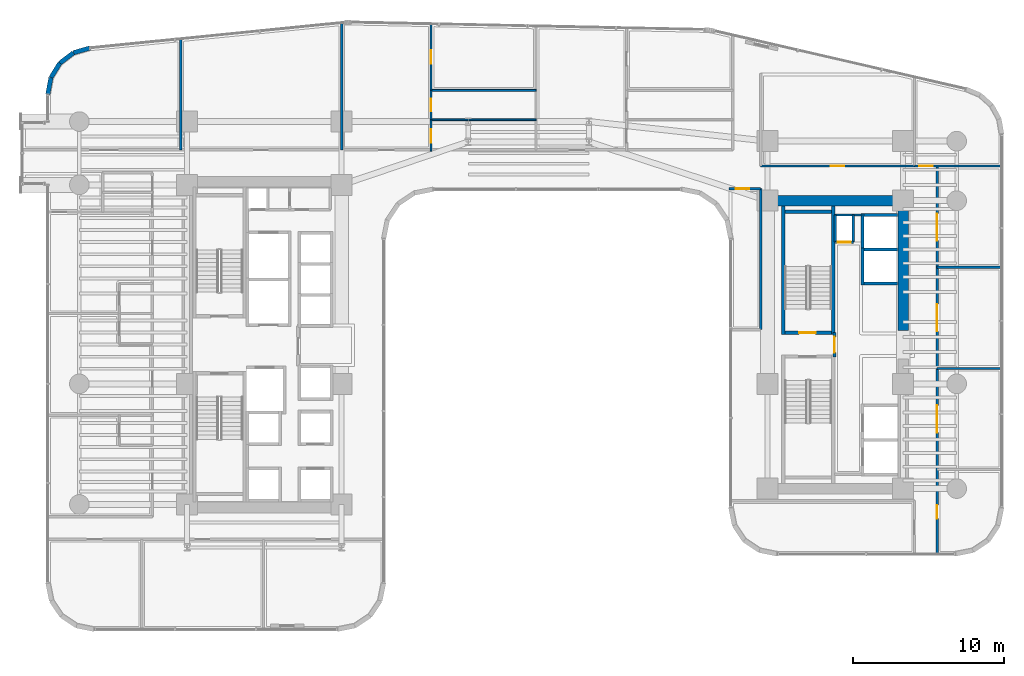
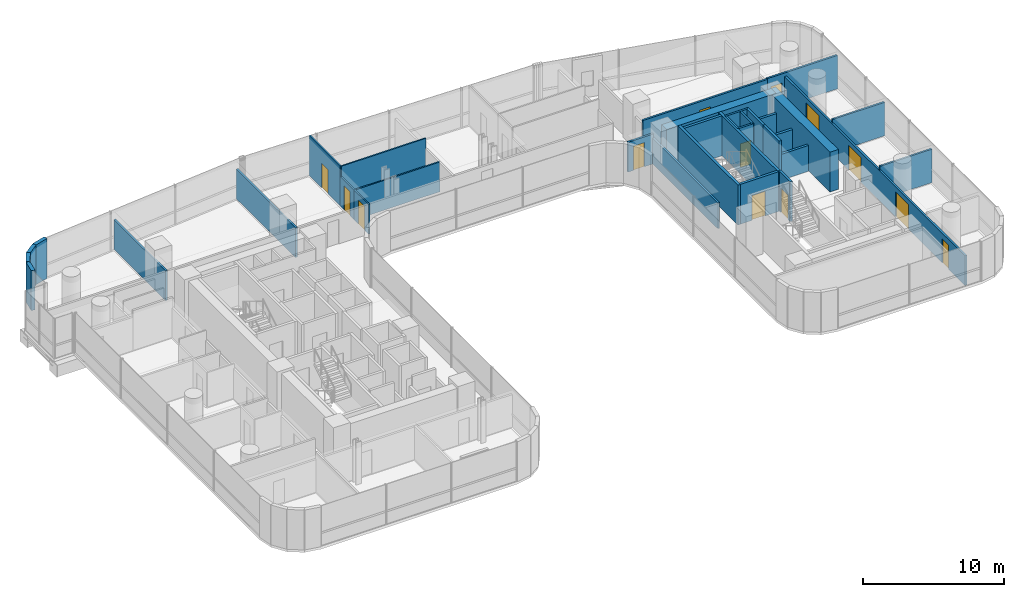
# One storey, part 34 of 41: 34 walls, 13 doors, 13 openings.
"""IFC4 building model written with IfcOpenShell, lengths in metres."""

from ifc_helpers import new_model, si_unit, direction, frame, frame_2d, origin, place, context, subcontext, project, spatial, rectangle, extrude, material, layer, layer_set, type_object, element, fill, save


model = new_model("IFC4")

# Units and contexts
model_context = context("Model", 3, precision=1e-05, world=origin(), true_north=direction((0.0, 1.0)))
body_context = subcontext(model_context, "Body", "Model", "MODEL_VIEW")
ifc_project = project(units=[si_unit("LENGTHUNIT", "METRE"), si_unit("AREAUNIT", "SQUARE_METRE"), si_unit("VOLUMEUNIT", "CUBIC_METRE"), si_unit("PLANEANGLEUNIT", "RADIAN"), si_unit("MASSUNIT", "GRAM", prefix="KILO")], contexts=[model_context])

# Site, building, storey
site_placement = place(None, origin())
site = spatial("IfcSite", under=ifc_project, at=site_placement, CompositionType="ELEMENT")
building_placement = place(site_placement, origin())
building = spatial("IfcBuilding", under=site, at=building_placement, Name="Valdorenza Pilgrim Sanctuary Tower", CompositionType="ELEMENT")
storey_placement = place(building_placement, frame((0.0, 0.0, 88.89990234375)))
storey = spatial("IfcBuildingStorey", under=building, at=storey_placement, Name="L22", CompositionType="ELEMENT", Elevation=88.89990234375)

# Wall, opening, door
ifc_material_1 = material(Name="Acoustic twin-stud gypsum partition", Category="gypsum")
ifc_layer_1 = layer(ifc_material_1, 0.159912109375, Name="Acoustic twin-stud gypsum partition")
ifc_layer_set_1 = layer_set([ifc_layer_1], Name="Acoustic twin-stud gypsum partition")
wall_type_1 = type_object("IfcWallType", Name="WAL-COR-160", PredefinedType="PARTITIONING", material=ifc_layer_set_1)
wall_1_placement = place(storey_placement, frame((20.35009765625, 6.800048828125, 0.0), z_axis=(0.0, 0.0, 1.0), x_axis=(1.0, 0.0, 0.0)))
wall_1 = element("IfcWall", 1, at=wall_1_placement, inside=storey, type_object=wall_type_1, Name="L22 Core B Riser South Wall", PredefinedType="PARTITIONING", context=body_context, shape_type="SweptSolid", body=[
    extrude(rectangle(XDim=1.199951171875, YDim=0.159912109375, at=frame_2d((0.60009765625, 0.0))), origin(), (0.0, 0.0, 1.0), 3.460205078125),
])
opening_1_placement = place(wall_1_placement, frame((0.175048828125, 0.0, 0.0)))
opening_1 = element("IfcOpeningElement", 2, at=opening_1_placement, cuts=wall_1, Name="Opening DR-RS1", PredefinedType="OPENING", context=body_context, shape_type="SweptSolid", body=[
    extrude(rectangle(XDim=0.85009765625, YDim=2.050048828125, at=frame_2d((0.425048828125, 1.02490234375))), frame((0.0, 0.0947265625, 0.0), z_axis=(0.0, -1.0, 0.0), x_axis=(1.0, 0.0, 0.0)), (0.0, 0.0, 1.0), 0.189697265625),
])
ifc_material_2 = material(Name="Painted galvanized steel", Category="steel")
door_type_1 = type_object("IfcDoorType", Name="DR-RSR-850", OperationType="NOTDEFINED", PredefinedType="DOOR", material=ifc_material_2)
door_1_placement = place(opening_1_placement, origin())
door_1 = element("IfcDoor", 3, at=door_1_placement, inside=storey, type_object=door_type_1, Name="L22 Core B Electrical Riser Door", OperationType="SINGLE_SWING_LEFT", OverallHeight=2.050048828125, OverallWidth=0.85009765625, PredefinedType="DOOR", context=body_context, shape_type="SweptSolid", body=[
    extrude(rectangle(XDim=0.85009765625, YDim=2.050048828125, at=frame_2d((0.425048828125, 1.02490234375))), frame((0.0, 0.02490234375, 0.0), z_axis=(0.0, -1.0, 0.0), x_axis=(1.0, 0.0, 0.0)), (0.0, 0.0, 1.0), 0.050048828125),
])
fill(opening_1, door_1)

# Walls
for number, where, z_axis, x_axis, name in (
    (4, (21.550048828125, 6.800048828125, 0.0), (0.0, 0.0, 1.0), (0.0, 1.0, 0.0), "L22 Core B Riser East Wall"),
    (5, (20.35009765625, 6.800048828125, 0.0), (0.0, 0.0, 1.0), (0.0, 1.0, 0.0), "L22 Core B Riser West Wall"),
):
    element("IfcWall", number, at=place(storey_placement, frame(where, z_axis=z_axis, x_axis=x_axis)), inside=storey, type_object=wall_type_1, Name=name, PredefinedType="PARTITIONING", context=body_context, shape_type="SweptSolid", body=[
        extrude(rectangle(XDim=1.800048828125, YDim=0.159912109375, at=frame_2d((0.89990234375, 0.0))), origin(), (0.0, 0.0, 1.0), 3.460205078125),
    ])
wall_2_placement = place(storey_placement, frame((20.300048828125, 8.60009765625, 0.0), z_axis=(0.0, 0.0, 1.0), x_axis=(1.0, 0.0, 0.0)))
element("IfcWall", 6, at=wall_2_placement, inside=storey, type_object=wall_type_1, Name="L22 Core B Lift Hall North End Wall", PredefinedType="PARTITIONING", context=body_context, shape_type="SweptSolid", body=[
    extrude(rectangle(XDim=1.820068359375, YDim=0.159912109375, at=frame_2d((0.91015625, 0.0))), origin(), (0.0, 0.0, 1.0), 3.460205078125),
])

# Wall, opening, door
wall_3_placement = place(storey_placement, frame((15.39990234375, 11.85009765625, 0.0), z_axis=(0.0, 0.0, 1.0), x_axis=(1.0, 0.0, 0.0)))
wall_3 = element("IfcWall", 7, at=wall_3_placement, inside=storey, type_object=wall_type_1, Name="L22 Wing B North Corridor Wall", PredefinedType="PARTITIONING", context=body_context, shape_type="SweptSolid", body=[
    extrude(rectangle(XDim=10.2001953125, YDim=0.159912109375, at=frame_2d((5.10009765625, 0.0))), origin(), (0.0, 0.0, 1.0), 2.833984375),
])
opening_2_placement = place(wall_3_placement, frame((4.64990234375, 0.0, 0.0)))
opening_2 = element("IfcOpeningElement", 8, at=opening_2_placement, cuts=wall_3, Name="Opening DR-RM1", PredefinedType="OPENING", context=body_context, shape_type="SweptSolid", body=[
    extrude(rectangle(XDim=0.89990234375, YDim=2.10009765625, at=frame_2d((0.449951171875, 1.050048828125))), frame((0.0, 0.0947265625, 0.0), z_axis=(0.0, -1.0, 0.0), x_axis=(1.0, 0.0, 0.0)), (0.0, 0.0, 1.0), 0.189697265625),
])
ifc_material_3 = material(Name="Solid-core European oak timber", Category="wood")
door_type_2 = type_object("IfcDoorType", Name="DR-ROOM-900", OperationType="NOTDEFINED", PredefinedType="DOOR", material=ifc_material_3)
door_2_placement = place(opening_2_placement, origin())
door_2 = element("IfcDoor", 9, at=door_2_placement, inside=storey, type_object=door_type_2, Name="L22 Curator Research Office L22-BN1 Door", OperationType="SINGLE_SWING_RIGHT", OverallHeight=2.10009765625, OverallWidth=0.89990234375, PredefinedType="DOOR", context=body_context, shape_type="SweptSolid", body=[
    extrude(rectangle(XDim=0.89990234375, YDim=2.10009765625, at=frame_2d((0.449951171875, 1.050048828125))), frame((0.0, 0.02490234375, 0.0), z_axis=(0.0, -1.0, 0.0), x_axis=(1.0, 0.0, 0.0)), (0.0, 0.0, 1.0), 0.050048828125),
])
fill(opening_2, door_2)

# Wall, openings, doors
wall_4_placement = place(storey_placement, frame((27.10009765625, -13.889892578125, 0.0), z_axis=(0.0, 0.0, 1.0), x_axis=(0.0, 1.0, 0.0)))
wall_4 = element("IfcWall", 10, at=wall_4_placement, inside=storey, type_object=wall_type_1, Name="L22 Wing B East Corridor Wall", PredefinedType="PARTITIONING", context=body_context, shape_type="SweptSolid", body=[
    extrude(rectangle(XDim=25.739990234375, YDim=0.159912109375, at=frame_2d((12.8701171875, 0.0))), origin(), (0.0, 0.0, 1.0), 2.5830078125),
])
opening_3_placement = place(wall_4_placement, frame((2.35107421875, 0.0, 0.0)))
opening_3 = element("IfcOpeningElement", 11, at=opening_3_placement, cuts=wall_4, Name="Opening DR-RM1", PredefinedType="OPENING", context=body_context, shape_type="SweptSolid", body=[
    extrude(rectangle(XDim=0.89990234375, YDim=2.10009765625, at=frame_2d((0.449951171875, 1.050048828125))), frame((0.0, 0.0947265625, 0.0), z_axis=(0.0, -1.0, 0.0), x_axis=(1.0, 0.0, 0.0)), (0.0, 0.0, 1.0), 0.189697265625),
])
opening_4_placement = place(wall_4_placement, frame((8.05908203125, 0.0, 0.0)))
opening_4 = element("IfcOpeningElement", 12, at=opening_4_placement, cuts=wall_4, Name="Opening DR-HL1", PredefinedType="OPENING", context=body_context, shape_type="SweptSolid", body=[
    extrude(rectangle(XDim=1.800048828125, YDim=2.14990234375, at=frame_2d((0.89990234375, 1.074951171875))), frame((0.0, 0.0947265625, 0.0), z_axis=(0.0, -1.0, 0.0), x_axis=(1.0, 0.0, 0.0)), (0.0, 0.0, 1.0), 0.189697265625),
])
opening_5_placement = place(wall_4_placement, frame((14.77099609375, 0.0, 0.0)))
opening_5 = element("IfcOpeningElement", 13, at=opening_5_placement, cuts=wall_4, Name="Opening DR-HL1", PredefinedType="OPENING", context=body_context, shape_type="SweptSolid", body=[
    extrude(rectangle(XDim=1.800048828125, YDim=2.14990234375, at=frame_2d((0.89990234375, 1.074951171875))), frame((0.0, 0.0947265625, 0.0), z_axis=(0.0, -1.0, 0.0), x_axis=(1.0, 0.0, 0.0)), (0.0, 0.0, 1.0), 0.189697265625),
])
opening_6_placement = place(wall_4_placement, frame((20.78759765625, 0.0, 0.0)))
opening_6 = element("IfcOpeningElement", 14, at=opening_6_placement, cuts=wall_4, Name="Opening DR-HL1", PredefinedType="OPENING", context=body_context, shape_type="SweptSolid", body=[
    extrude(rectangle(XDim=1.800048828125, YDim=2.14990234375, at=frame_2d((0.89990234375, 1.074951171875))), frame((0.0, 0.0947265625, 0.0), z_axis=(0.0, -1.0, 0.0), x_axis=(1.0, 0.0, 0.0)), (0.0, 0.0, 1.0), 0.189697265625),
])
ifc_material_4 = material(Name="Acoustic oak and vision-glass double door", Category="glass")
door_type_3 = type_object("IfcDoorType", Name="DR-HALL-1800", OperationType="NOTDEFINED", PredefinedType="DOOR", material=ifc_material_4)
door_3_placement = place(opening_4_placement, origin())
door_3 = element("IfcDoor", 15, at=door_3_placement, inside=storey, type_object=door_type_3, Name="L22 East Reading Lounge L22-EB2 Door", OperationType="DOUBLE_DOOR_SINGLE_SWING", OverallHeight=2.14990234375, OverallWidth=1.800048828125, PredefinedType="DOOR", context=body_context, shape_type="SweptSolid", body=[
    extrude(rectangle(XDim=1.800048828125, YDim=2.14990234375, at=frame_2d((0.89990234375, 1.074951171875))), frame((0.0, 0.02490234375, 0.0), z_axis=(0.0, -1.0, 0.0), x_axis=(1.0, 0.0, 0.0)), (0.0, 0.0, 1.0), 0.050048828125),
])
fill(opening_4, door_3)
door_4_placement = place(opening_5_placement, frame((1.800048828125, 0.0, 0.0), z_axis=(0.0, 0.0, 1.0), x_axis=(-1.0, 0.0, 0.0)))
door_4 = element("IfcDoor", 16, at=door_4_placement, inside=storey, type_object=door_type_3, Name="L22 East Reading Lounge L22-EB3 Door", OperationType="DOUBLE_DOOR_SINGLE_SWING", OverallHeight=2.14990234375, OverallWidth=1.800048828125, PredefinedType="DOOR", context=body_context, shape_type="SweptSolid", body=[
    extrude(rectangle(XDim=1.800048828125, YDim=2.14990234375, at=frame_2d((0.89990234375, 1.074951171875))), frame((0.0, 0.02490234375, 0.0), z_axis=(0.0, -1.0, 0.0), x_axis=(1.0, 0.0, 0.0)), (0.0, 0.0, 1.0), 0.050048828125),
])
fill(opening_5, door_4)
door_5_placement = place(opening_6_placement, origin())
door_5 = element("IfcDoor", 17, at=door_5_placement, inside=storey, type_object=door_type_3, Name="L22 East Reading Lounge L22-EB4 Door", OperationType="DOUBLE_DOOR_SINGLE_SWING", OverallHeight=2.14990234375, OverallWidth=1.800048828125, PredefinedType="DOOR", context=body_context, shape_type="SweptSolid", body=[
    extrude(rectangle(XDim=1.800048828125, YDim=2.14990234375, at=frame_2d((0.89990234375, 1.074951171875))), frame((0.0, 0.02490234375, 0.0), z_axis=(0.0, -1.0, 0.0), x_axis=(1.0, 0.0, 0.0)), (0.0, 0.0, 1.0), 0.050048828125),
])
fill(opening_6, door_5)
door_6_placement = place(opening_3_placement, frame((0.89990234375, 0.0, 0.0), z_axis=(0.0, 0.0, 1.0), x_axis=(-1.0, 0.0, 0.0)))
door_6 = element("IfcDoor", 18, at=door_6_placement, inside=storey, type_object=door_type_2, Name="L22 East Reading Lounge L22-EB1 Door", OperationType="SINGLE_SWING_LEFT", OverallHeight=2.10009765625, OverallWidth=0.89990234375, PredefinedType="DOOR", context=body_context, shape_type="SweptSolid", body=[
    extrude(rectangle(XDim=0.89990234375, YDim=2.10009765625, at=frame_2d((0.449951171875, 1.050048828125))), frame((0.0, 0.02490234375, 0.0), z_axis=(0.0, -1.0, 0.0), x_axis=(1.0, 0.0, 0.0)), (0.0, 0.0, 1.0), 0.050048828125),
])
fill(opening_3, door_6)

# Wall, opening, door
wall_5_placement = place(storey_placement, frame((25.60009765625, 11.85009765625, 0.0), z_axis=(0.0, 0.0, 1.0), x_axis=(1.0, 0.0, 0.0)))
wall_5 = element("IfcWall", 19, at=wall_5_placement, inside=storey, type_object=wall_type_1, Name="L22 East Wing NE Corner South Wall", PredefinedType="PARTITIONING", context=body_context, shape_type="SweptSolid", body=[
    extrude(rectangle(XDim=5.789794921875, YDim=0.159912109375, at=frame_2d((2.89501953125, 0.0))), origin(), (0.0, 0.0, 1.0), 2.89599609375),
])
opening_7_placement = place(wall_5_placement, frame((0.300048828125, 0.0, 0.0)))
opening_7 = element("IfcOpeningElement", 20, at=opening_7_placement, cuts=wall_5, Name="Opening DR-RM1", PredefinedType="OPENING", context=body_context, shape_type="SweptSolid", body=[
    extrude(rectangle(XDim=0.89990234375, YDim=2.10009765625, at=frame_2d((0.449951171875, 1.050048828125))), frame((0.0, 0.0947265625, 0.0), z_axis=(0.0, -1.0, 0.0), x_axis=(1.0, 0.0, 0.0)), (0.0, 0.0, 1.0), 0.189697265625),
])
door_7_placement = place(opening_7_placement, origin())
door_7 = element("IfcDoor", 21, at=door_7_placement, inside=storey, type_object=door_type_2, Name="L22 East North Alcove Office L22 Door", OperationType="SINGLE_SWING_RIGHT", OverallHeight=2.10009765625, OverallWidth=0.89990234375, PredefinedType="DOOR", context=body_context, shape_type="SweptSolid", body=[
    extrude(rectangle(XDim=0.89990234375, YDim=2.10009765625, at=frame_2d((0.449951171875, 1.050048828125))), frame((0.0, 0.02490234375, 0.0), z_axis=(0.0, -1.0, 0.0), x_axis=(1.0, 0.0, 0.0)), (0.0, 0.0, 1.0), 0.050048828125),
])
fill(opening_7, door_7)

wall_6_placement = place(storey_placement, frame((13.300048828125, 10.35009765625, 0.0), z_axis=(0.0, 0.0, 1.0), x_axis=(1.0, 0.0, 0.0)))
wall_6 = element("IfcWall", 22, at=wall_6_placement, inside=storey, type_object=wall_type_1, Name="L22 Courtyard Overlook North Wall", PredefinedType="PARTITIONING", context=body_context, shape_type="SweptSolid", body=[
    extrude(rectangle(XDim=2.099853515625, YDim=0.159912109375, at=frame_2d((1.0498046875, 0.0))), origin(), (0.0, 0.0, 1.0), 2.5830078125),
])
opening_8_placement = place(wall_6_placement, frame((0.449951171875, 0.0, 0.0)))
opening_8 = element("IfcOpeningElement", 23, at=opening_8_placement, cuts=wall_6, Name="Opening DR-RM1", PredefinedType="OPENING", context=body_context, shape_type="SweptSolid", body=[
    extrude(rectangle(XDim=0.89990234375, YDim=2.10009765625, at=frame_2d((0.449951171875, 1.050048828125))), frame((0.0, 0.0947265625, 0.0), z_axis=(0.0, -1.0, 0.0), x_axis=(1.0, 0.0, 0.0)), (0.0, 0.0, 1.0), 0.189697265625),
])
door_8_placement = place(opening_8_placement, origin())
door_8 = element("IfcDoor", 24, at=door_8_placement, inside=storey, type_object=door_type_2, Name="L22 Courtyard Overlook Salon Door", OperationType="SINGLE_SWING_LEFT", OverallHeight=2.10009765625, OverallWidth=0.89990234375, PredefinedType="DOOR", context=body_context, shape_type="SweptSolid", body=[
    extrude(rectangle(XDim=0.89990234375, YDim=2.10009765625, at=frame_2d((0.449951171875, 1.050048828125))), frame((0.0, 0.02490234375, 0.0), z_axis=(0.0, -1.0, 0.0), x_axis=(1.0, 0.0, 0.0)), (0.0, 0.0, 1.0), 0.050048828125),
])
fill(opening_8, door_8)

# Walls
wall_7_placement = place(storey_placement, frame((15.39990234375, 1.0, 0.0), z_axis=(0.0, 0.0, 1.0), x_axis=(0.0, 1.0, 0.0)))
element("IfcWall", 25, at=wall_7_placement, inside=storey, type_object=wall_type_1, Name="L22 Courtyard Overlook East Wall", PredefinedType="PARTITIONING", context=body_context, shape_type="SweptSolid", body=[
    extrude(rectangle(XDim=9.35009765625, YDim=0.159912109375, at=frame_2d((4.675048828125, 0.0))), origin(), (0.0, 0.0, 1.0), 2.2451171875),
])
ifc_material_5 = material(Name="Concrete C60/75", Category="concrete")
ifc_layer_2 = layer(ifc_material_5, 0.699951171875, Name="Concrete C60/75")
ifc_layer_set_2 = layer_set([ifc_layer_2], Name="Concrete C60/75")
wall_type_2 = type_object("IfcWallType", Name="WAL-COR-700", PredefinedType="SHEAR", material=ifc_layer_set_2)
wall_8_placement = place(storey_placement, frame((24.85009765625, 0.949951171875, 0.0), z_axis=(0.0, 0.0, 1.0), x_axis=(0.0, 1.0, 0.0)))
element("IfcWall", 26, at=wall_8_placement, inside=storey, type_object=wall_type_2, Name="L22 Split Core B Shear Wall EN", PredefinedType="SHEAR", context=body_context, shape_type="SweptSolid", body=[
    extrude(rectangle(XDim=8.949951171875, YDim=0.699951171875, at=frame_2d((4.47509765625, 0.0))), origin(), (0.0, 0.0, 1.0), 3.460205078125),
])
wall_9_placement = place(storey_placement, frame((15.85009765625, 9.550048828125, 0.0), z_axis=(0.0, 0.0, 1.0), x_axis=(1.0, 0.0, 0.0)))
element("IfcWall", 27, at=wall_9_placement, inside=storey, type_object=wall_type_2, Name="L22 Split Core B Shear Wall N", PredefinedType="SHEAR", context=body_context, shape_type="SweptSolid", body=[
    extrude(rectangle(XDim=9.0, YDim=0.699951171875, at=frame_2d((4.5, 0.0))), origin(), (0.0, 0.0, 1.0), 3.460205078125),
])
ifc_material_6 = material(Name="Honed travertine limestone", Category="masonry")
ifc_layer_3 = layer(ifc_material_6, 0.300048828125, Name="Honed travertine limestone")
ifc_layer_set_3 = layer_set([ifc_layer_3], Name="Honed travertine limestone")
wall_type_3 = type_object("IfcWallType", Name="WAL-EXT-300", PredefinedType="SOLIDWALL", material=ifc_layer_set_3)
wall_10_placement = place(storey_placement, frame((-31.889892578125, 16.593994140625, 0.0), z_axis=(0.0, 0.0, 1.0), x_axis=(0.182748995683, 0.9831596028, 0.0)))
element("IfcWall", 28, at=wall_10_placement, inside=storey, type_object=wall_type_3, Name="L22 Rounded Wind-Corner Stone Pier 2", PredefinedType="SOLIDWALL", context=body_context, shape_type="SweptSolid", body=[
    extrude(rectangle(XDim=1.1396484375, YDim=0.300048828125, at=frame_2d((0.56982421875, 0.0))), origin(), (0.0, 0.0, 1.0), 3.460205078125),
])
wall_11_placement = place(storey_placement, frame((-31.681640625, 17.71435546875, 0.0), z_axis=(0.0, 0.0, 1.0), x_axis=(0.524157723014, 0.8516212077, 0.0)))
element("IfcWall", 29, at=wall_11_placement, inside=storey, type_object=wall_type_3, Name="L22 Rounded Wind-Corner Stone Pier 3", PredefinedType="SOLIDWALL", context=body_context, shape_type="SweptSolid", body=[
    extrude(rectangle(XDim=1.12939453125, YDim=0.300048828125, at=frame_2d((0.564697265625, 0.0))), origin(), (0.0, 0.0, 1.0), 3.460205078125),
])
wall_12_placement = place(storey_placement, frame((-31.089599609375, 18.67626953125, 0.0), z_axis=(0.0, 0.0, 1.0), x_axis=(0.795253002434, 0.606277710393, 0.0)))
element("IfcWall", 30, at=wall_12_placement, inside=storey, type_object=wall_type_3, Name="L22 Rounded Wind-Corner Stone Pier 4", PredefinedType="SOLIDWALL", context=body_context, shape_type="SweptSolid", body=[
    extrude(rectangle(XDim=1.129150390625, YDim=0.300048828125, at=frame_2d((0.564453125, 0.0))), origin(), (0.0, 0.0, 1.0), 3.460205078125),
])
wall_13_placement = place(storey_placement, frame((-30.191650390625, 19.36083984375, 0.0), z_axis=(0.0, 0.0, 1.0), x_axis=(0.960071941549, 0.279753225271, 0.0)))
element("IfcWall", 31, at=wall_13_placement, inside=storey, type_object=wall_type_3, Name="L22 Rounded Wind-Corner Stone Pier 5", PredefinedType="SOLIDWALL", context=body_context, shape_type="SweptSolid", body=[
    extrude(rectangle(XDim=1.1396484375, YDim=0.300048828125, at=frame_2d((0.56982421875, 0.0))), origin(), (0.0, 0.0, 1.0), 3.460205078125),
])

# Wall, opening, door
ifc_material_7 = material(Name="Gypsum shaftwall partition", Category="gypsum")
ifc_layer_4 = layer(ifc_material_7, 0.199951171875, Name="Gypsum shaftwall partition")
ifc_layer_set_4 = layer_set([ifc_layer_4], Name="Gypsum shaftwall partition")
wall_type_4 = type_object("IfcWallType", Name="WAL-FFL-200", PredefinedType="PARTITIONING", material=ifc_layer_set_4)
wall_14_placement = place(storey_placement, frame((20.300048828125, -0.820068359375, 0.0), z_axis=(0.0, 0.0, 1.0), x_axis=(0.0, 1.0, 0.0)))
wall_14 = element("IfcWall", 32, at=wall_14_placement, inside=storey, type_object=wall_type_4, Name="L22 Core B Firefighting Lobby East Wall", PredefinedType="PARTITIONING", context=body_context, shape_type="SweptSolid", body=[
    extrude(rectangle(XDim=1.64013671875, YDim=0.199951171875, at=frame_2d((0.820068359375, 0.0))), origin(), (0.0, 0.0, 1.0), 3.460205078125),
])
opening_9_placement = place(wall_14_placement, frame((0.294921875, 0.0, 0.0)))
opening_9 = element("IfcOpeningElement", 33, at=opening_9_placement, cuts=wall_14, Name="Opening DR-FL1", PredefinedType="OPENING", context=body_context, shape_type="SweptSolid", body=[
    extrude(rectangle(XDim=1.050048828125, YDim=2.14990234375, at=frame_2d((0.52490234375, 1.074951171875))), frame((0.0, 0.11474609375, 0.0), z_axis=(0.0, -1.0, 0.0), x_axis=(1.0, 0.0, 0.0)), (0.0, 0.0, 1.0), 0.229736328125),
])
door_type_4 = type_object("IfcDoorType", Name="DR-FFL-1050", OperationType="NOTDEFINED", PredefinedType="DOOR", material=ifc_material_2)
door_9_placement = place(opening_9_placement, origin())
door_9 = element("IfcDoor", 34, at=door_9_placement, inside=storey, type_object=door_type_4, Name="L22 Core B Firefighting Lobby Door", OperationType="SINGLE_SWING_RIGHT", OverallHeight=2.14990234375, OverallWidth=1.050048828125, PredefinedType="DOOR", context=body_context, shape_type="SweptSolid", body=[
    extrude(rectangle(XDim=1.050048828125, YDim=2.14990234375, at=frame_2d((0.52490234375, 1.074951171875))), frame((0.0, 0.02490234375, 0.0), z_axis=(0.0, -1.0, 0.0), x_axis=(1.0, 0.0, 0.0)), (0.0, 0.0, 1.0), 0.050048828125),
])
fill(opening_9, door_9)

# Walls
ifc_material_8 = material(Name="Moisture-resistant gypsum partition", Category="gypsum")
ifc_layer_5 = layer(ifc_material_8, 0.1201171875, Name="Moisture-resistant gypsum partition")
ifc_layer_set_5 = layer_set([ifc_layer_5], Name="Moisture-resistant gypsum partition")
wall_type_5 = type_object("IfcWallType", Name="WAL-INT-120", PredefinedType="PARTITIONING", material=ifc_layer_set_5)
wall_15_placement = place(storey_placement, frame((-6.466064453125, 14.919921875, 0.0), z_axis=(0.0, 0.0, 1.0), x_axis=(1.0, 0.0, 0.0)))
element("IfcWall", 35, at=wall_15_placement, inside=storey, type_object=wall_type_5, Name="L22 North Sanctuary Apartment L22-N3 Bath-Kitchen Wall", PredefinedType="PARTITIONING", context=body_context, shape_type="SweptSolid", body=[
    extrude(rectangle(XDim=6.966064453125, YDim=0.1201171875, at=frame_2d((3.48291015625, 0.0))), origin(), (0.0, 0.0, 1.0), 2.5830078125),
])
wall_16_placement = place(storey_placement, frame((-6.466064453125, 16.8701171875, 0.0), z_axis=(0.0, 0.0, 1.0), x_axis=(1.0, 0.0, 0.0)))
element("IfcWall", 36, at=wall_16_placement, inside=storey, type_object=wall_type_5, Name="L22 North Sanctuary Apartment L22-N3 Kitchen-Bedroom Wall", PredefinedType="PARTITIONING", context=body_context, shape_type="SweptSolid", body=[
    extrude(rectangle(XDim=6.966064453125, YDim=0.1201171875, at=frame_2d((3.48291015625, 0.0))), origin(), (0.0, 0.0, 1.0), 3.460205078125),
])

# Wall, opening, door
wall_17_placement = place(storey_placement, frame((-6.466064453125, 14.919921875, 0.0), z_axis=(0.0, 0.0, 1.0), x_axis=(0.0, 1.0, 0.0)))
wall_17 = element("IfcWall", 37, at=wall_17_placement, inside=storey, type_object=wall_type_5, Name="L22 North Sanctuary Apartment L22-N3 Bathroom Door Wall", PredefinedType="PARTITIONING", context=body_context, shape_type="SweptSolid", body=[
    extrude(rectangle(XDim=1.9501953125, YDim=0.1201171875, at=frame_2d((0.97509765625, 0.0))), origin(), (0.0, 0.0, 1.0), 2.5830078125),
])
opening_10_placement = place(wall_17_placement, frame((0.550048828125, 0.0, 0.0)))
opening_10 = element("IfcOpeningElement", 38, at=opening_10_placement, cuts=wall_17, Name="Opening DR-WC1", PredefinedType="OPENING", context=body_context, shape_type="SweptSolid", body=[
    extrude(rectangle(XDim=0.85009765625, YDim=2.10009765625, at=frame_2d((0.425048828125, 1.050048828125))), frame((0.0, 0.074951171875, 0.0), z_axis=(0.0, -1.0, 0.0), x_axis=(1.0, 0.0, 0.0)), (0.0, 0.0, 1.0), 0.14990234375),
])
ifc_material_9 = material(Name="Moisture-resistant lacquered timber", Category="wood")
door_type_5 = type_object("IfcDoorType", Name="DR-BATH-850", OperationType="NOTDEFINED", PredefinedType="DOOR", material=ifc_material_9)
door_10_placement = place(opening_10_placement, origin())
door_10 = element("IfcDoor", 39, at=door_10_placement, inside=storey, type_object=door_type_5, Name="L22 North Sanctuary Apartment L22-N3 Bathroom Door", OperationType="SINGLE_SWING_LEFT", OverallHeight=2.10009765625, OverallWidth=0.85009765625, PredefinedType="DOOR", context=body_context, shape_type="SweptSolid", body=[
    extrude(rectangle(XDim=0.85009765625, YDim=2.10009765625, at=frame_2d((0.425048828125, 1.050048828125))), frame((0.0, 0.02490234375, 0.0), z_axis=(0.0, -1.0, 0.0), x_axis=(1.0, 0.0, 0.0)), (0.0, 0.0, 1.0), 0.050048828125),
])
fill(opening_10, door_10)

wall_18_placement = place(storey_placement, frame((-6.466064453125, 12.840087890625, 0.0), z_axis=(0.0, 0.0, 1.0), x_axis=(0.0, 1.0, 0.0)))
wall_18 = element("IfcWall", 40, at=wall_18_placement, inside=storey, type_object=wall_type_5, Name="L22 North Sanctuary Apartment L22-N3 Kitchen Door Wall", PredefinedType="PARTITIONING", context=body_context, shape_type="SweptSolid", body=[
    extrude(rectangle(XDim=2.079833984375, YDim=0.1201171875, at=frame_2d((1.0400390625, 0.0))), origin(), (0.0, 0.0, 1.0), 2.5830078125),
])
opening_11_placement = place(wall_18_placement, frame((0.550048828125, 0.0, 0.0)))
opening_11 = element("IfcOpeningElement", 41, at=opening_11_placement, cuts=wall_18, Name="Opening DR-RM1", PredefinedType="OPENING", context=body_context, shape_type="SweptSolid", body=[
    extrude(rectangle(XDim=0.89990234375, YDim=2.10009765625, at=frame_2d((0.449951171875, 1.050048828125))), frame((0.0, 0.074951171875, 0.0), z_axis=(0.0, -1.0, 0.0), x_axis=(1.0, 0.0, 0.0)), (0.0, 0.0, 1.0), 0.14990234375),
])
door_11_placement = place(opening_11_placement, origin())
door_11 = element("IfcDoor", 42, at=door_11_placement, inside=storey, type_object=door_type_2, Name="L22 North Sanctuary Apartment L22-N3 Kitchen Door", OperationType="SINGLE_SWING_RIGHT", OverallHeight=2.10009765625, OverallWidth=0.89990234375, PredefinedType="DOOR", context=body_context, shape_type="SweptSolid", body=[
    extrude(rectangle(XDim=0.89990234375, YDim=2.10009765625, at=frame_2d((0.449951171875, 1.050048828125))), frame((0.0, 0.02490234375, 0.0), z_axis=(0.0, -1.0, 0.0), x_axis=(1.0, 0.0, 0.0)), (0.0, 0.0, 1.0), 0.050048828125),
])
fill(opening_11, door_11)

wall_19_placement = place(storey_placement, frame((-6.466064453125, 16.8701171875, 0.0), z_axis=(0.0, 0.0, 1.0), x_axis=(0.0, 1.0, 0.0)))
wall_19 = element("IfcWall", 43, at=wall_19_placement, inside=storey, type_object=wall_type_5, Name="L22 North Sanctuary Apartment L22-N3 Bedroom Door Wall", PredefinedType="PARTITIONING", context=body_context, shape_type="SweptSolid", body=[
    extrude(rectangle(XDim=4.404541015625, YDim=0.1201171875, at=frame_2d((2.2021484375, 0.0))), origin(), (0.0, 0.0, 1.0), 3.460205078125),
])
opening_12_placement = place(wall_19_placement, frame((1.751953125, 0.0, 0.0)))
opening_12 = element("IfcOpeningElement", 44, at=opening_12_placement, cuts=wall_19, Name="Opening DR-RM1", PredefinedType="OPENING", context=body_context, shape_type="SweptSolid", body=[
    extrude(rectangle(XDim=0.89990234375, YDim=2.10009765625, at=frame_2d((0.449951171875, 1.050048828125))), frame((0.0, 0.074951171875, 0.0), z_axis=(0.0, -1.0, 0.0), x_axis=(1.0, 0.0, 0.0)), (0.0, 0.0, 1.0), 0.14990234375),
])
door_12_placement = place(opening_12_placement, frame((0.89990234375, 0.0, 0.0), z_axis=(0.0, 0.0, 1.0), x_axis=(-1.0, 0.0, 0.0)))
door_12 = element("IfcDoor", 45, at=door_12_placement, inside=storey, type_object=door_type_2, Name="L22 North Sanctuary Apartment L22-N3 Bedroom Door", OperationType="SINGLE_SWING_LEFT", OverallHeight=2.10009765625, OverallWidth=0.89990234375, PredefinedType="DOOR", context=body_context, shape_type="SweptSolid", body=[
    extrude(rectangle(XDim=0.89990234375, YDim=2.10009765625, at=frame_2d((0.449951171875, 1.050048828125))), frame((0.0, 0.02490234375, 0.0), z_axis=(0.0, -1.0, 0.0), x_axis=(1.0, 0.0, 0.0)), (0.0, 0.0, 1.0), 0.050048828125),
])
fill(opening_12, door_12)

# Walls
ifc_material_10 = material(Name="Autoclaved aerated concrete blockwork", Category="masonry")
ifc_layer_6 = layer(ifc_material_10, 0.199951171875, Name="Autoclaved aerated concrete blockwork")
ifc_layer_set_6 = layer_set([ifc_layer_6], Name="Autoclaved aerated concrete blockwork")
wall_type_6 = type_object("IfcWallType", Name="WAL-SHF-200", PredefinedType="MOVABLE", material=ifc_layer_set_6)
wall_20_placement = place(storey_placement, frame((22.14990234375, 3.949951171875, 0.0), z_axis=(0.0, 0.0, 1.0), x_axis=(0.0, 1.0, 0.0)))
element("IfcWall", 46, at=wall_20_placement, inside=storey, type_object=wall_type_6, Name="L22 Lift PL-07 Hoistway Wall West", PredefinedType="MOVABLE", context=body_context, shape_type="SweptSolid", body=[
    extrude(rectangle(XDim=2.47509765625, YDim=0.199951171875, at=frame_2d((1.237548828125, 0.0))), origin(), (0.0, 0.0, 1.0), 3.460205078125),
])
for number, where, z_axis, x_axis, name in (
    (47, (22.25, 4.050048828125, 0.0), (0.0, 0.0, 1.0), (1.0, 0.0, 0.0), "L22 Lift PL-07 Hoistway Wall South"),
    (48, (22.25, 6.324951171875, 0.0), (0.0, 0.0, 1.0), (1.0, 0.0, 0.0), "L22 Lift PL-07 Hoistway Wall North"),
):
    element("IfcWall", number, at=place(storey_placement, frame(where, z_axis=z_axis, x_axis=x_axis)), inside=storey, type_object=wall_type_6, Name=name, PredefinedType="MOVABLE", context=body_context, shape_type="SweptSolid", body=[
        extrude(rectangle(XDim=2.22998046875, YDim=0.199951171875, at=frame_2d((1.114990234375, 0.0))), origin(), (0.0, 0.0, 1.0), 2.2451171875),
    ])
wall_21_placement = place(storey_placement, frame((22.14990234375, 6.22509765625, 0.0), z_axis=(0.0, 0.0, 1.0), x_axis=(0.0, 1.0, 0.0)))
element("IfcWall", 49, at=wall_21_placement, inside=storey, type_object=wall_type_6, Name="L22 Lift PL-08 Hoistway Wall West", PredefinedType="MOVABLE", context=body_context, shape_type="SweptSolid", body=[
    extrude(rectangle(XDim=2.474853515625, YDim=0.199951171875, at=frame_2d((1.2373046875, 0.0))), origin(), (0.0, 0.0, 1.0), 3.460205078125),
])
wall_22_placement = place(storey_placement, frame((22.25, 8.60009765625, 0.0), z_axis=(0.0, 0.0, 1.0), x_axis=(1.0, 0.0, 0.0)))
element("IfcWall", 50, at=wall_22_placement, inside=storey, type_object=wall_type_6, Name="L22 Lift PL-08 Hoistway Wall North", PredefinedType="MOVABLE", context=body_context, shape_type="SweptSolid", body=[
    extrude(rectangle(XDim=2.22998046875, YDim=0.199951171875, at=frame_2d((1.114990234375, 0.0))), origin(), (0.0, 0.0, 1.0), 2.2451171875),
])
ifc_material_11 = material(Name="Concrete C40/50", Category="concrete")
ifc_layer_7 = layer(ifc_material_11, 0.219970703125, Name="Concrete C40/50")
ifc_layer_set_7 = layer_set([ifc_layer_7], Name="Concrete C40/50")
wall_type_7 = type_object("IfcWallType", Name="WAL-STR-SHF-220", PredefinedType="SHEAR", material=ifc_layer_set_7)
for number, where, z_axis, x_axis, name in (
    (51, (16.889892578125, 0.679931640625, 0.0), (0.0, 0.0, 1.0), (0.0, 1.0, 0.0), "L22 ST-B1 Structural Stairwell Wall W"),
    (52, (20.219970703125, 0.679931640625, 0.0), (0.0, 0.0, 1.0), (0.0, 1.0, 0.0), "L22 ST-B1 Structural Stairwell Wall E"),
):
    element("IfcWall", number, at=place(storey_placement, frame(where, z_axis=z_axis, x_axis=x_axis)), inside=storey, type_object=wall_type_7, Name=name, PredefinedType="SHEAR", context=body_context, shape_type="SweptSolid", body=[
        extrude(rectangle(XDim=8.52001953125, YDim=0.219970703125, at=frame_2d((4.260009765625, 0.0))), origin(), (0.0, 0.0, 1.0), 3.460205078125),
    ])

# Wall, opening, door
wall_23_placement = place(storey_placement, frame((17.0, 0.7900390625, 0.0), z_axis=(0.0, 0.0, 1.0), x_axis=(1.0, 0.0, 0.0)))
wall_23 = element("IfcWall", 53, at=wall_23_placement, inside=storey, type_object=wall_type_7, Name="L22 ST-B1 Structural Stairwell Wall S", PredefinedType="SHEAR", context=body_context, shape_type="SweptSolid", body=[
    extrude(rectangle(XDim=3.110107421875, YDim=0.219970703125, at=frame_2d((1.55517578125, 0.0))), origin(), (0.0, 0.0, 1.0), 3.460205078125),
])
opening_13_placement = place(wall_23_placement, frame((0.949951171875, 0.0, 0.0)))
opening_13 = element("IfcOpeningElement", 54, at=opening_13_placement, cuts=wall_23, Name="Opening DR-ST1", PredefinedType="OPENING", context=body_context, shape_type="SweptSolid", body=[
    extrude(rectangle(XDim=1.10009765625, YDim=2.14990234375, at=frame_2d((0.550048828125, 1.074951171875))), frame((0.0, 0.125, 0.0), z_axis=(0.0, -1.0, 0.0), x_axis=(1.0, 0.0, 0.0)), (0.0, 0.0, 1.0), 0.249755859375),
])
door_type_6 = type_object("IfcDoorType", Name="DR-STAIR-1100", OperationType="NOTDEFINED", PredefinedType="DOOR", material=ifc_material_2)
door_13_placement = place(opening_13_placement, frame((1.10009765625, 0.0, 0.0), z_axis=(0.0, 0.0, 1.0), x_axis=(-1.0, 0.0, 0.0)))
door_13 = element("IfcDoor", 55, at=door_13_placement, inside=storey, type_object=door_type_6, Name="L22 Exit Stair ST-B1 Door", OperationType="SINGLE_SWING_LEFT", OverallHeight=2.14990234375, OverallWidth=1.10009765625, PredefinedType="DOOR", context=body_context, shape_type="SweptSolid", body=[
    extrude(rectangle(XDim=1.10009765625, YDim=2.14990234375, at=frame_2d((0.550048828125, 1.074951171875))), frame((0.0, 0.02490234375, 0.0), z_axis=(0.0, -1.0, 0.0), x_axis=(1.0, 0.0, 0.0)), (0.0, 0.0, 1.0), 0.050048828125),
])
fill(opening_13, door_13)

# Walls
wall_24_placement = place(storey_placement, frame((17.0, 8.81005859375, 0.0), z_axis=(0.0, 0.0, 1.0), x_axis=(1.0, 0.0, 0.0)))
element("IfcWall", 56, at=wall_24_placement, inside=storey, type_object=wall_type_7, Name="L22 ST-B1 Structural Stairwell Wall N", PredefinedType="SHEAR", context=body_context, shape_type="SweptSolid", body=[
    extrude(rectangle(XDim=3.110107421875, YDim=0.219970703125, at=frame_2d((1.55517578125, 0.0))), origin(), (0.0, 0.0, 1.0), 3.460205078125),
])
ifc_layer_8 = layer(ifc_material_1, 0.14990234375, Name="Acoustic twin-stud gypsum partition")
ifc_layer_set_8 = layer_set([ifc_layer_8], Name="Acoustic twin-stud gypsum partition")
wall_type_8 = type_object("IfcWallType", Name="WAL-UNT-150", PredefinedType="PARTITIONING", material=ifc_layer_set_8)
wall_25_placement = place(storey_placement, frame((-12.39990234375, 12.919921875, 0.0), z_axis=(0.0, 0.0, 1.0), x_axis=(0.0, 1.0, 0.0)))
element("IfcWall", 57, at=wall_25_placement, inside=storey, type_object=wall_type_8, Name="L22 North Hybrid Split", PredefinedType="PARTITIONING", context=body_context, shape_type="SweptSolid", body=[
    extrude(rectangle(XDim=8.4296875, YDim=0.14990234375, at=frame_2d((4.21484375, 0.0))), origin(), (0.0, 0.0, 1.0), 2.5830078125),
])
wall_26_placement = place(storey_placement, frame((-23.070068359375, 12.919921875, 0.0), z_axis=(0.0, 0.0, 1.0), x_axis=(0.0, 1.0, 0.0)))
element("IfcWall", 58, at=wall_26_placement, inside=storey, type_object=wall_type_8, Name="L22 Sacred Manuscript Archive L22-N2 Demising Wall", PredefinedType="PARTITIONING", context=body_context, shape_type="SweptSolid", body=[
    extrude(rectangle(XDim=7.362548828125, YDim=0.14990234375, at=frame_2d((3.68115234375, 0.0))), origin(), (0.0, 0.0, 1.0), 2.5830078125),
])
for number, where, z_axis, x_axis, name in (
    (59, (27.10009765625, -1.574951171875, 0.0), (0.0, 0.0, 1.0), (1.0, 0.0, 0.0), "L22 East Reading Lounge L22-EB3 Demising Wall"),
    (60, (27.10009765625, 5.137451171875, 0.0), (0.0, 0.0, 1.0), (1.0, 0.0, 0.0), "L22 East Reading Lounge L22-EB4 Demising Wall"),
):
    element("IfcWall", number, at=place(storey_placement, frame(where, z_axis=z_axis, x_axis=x_axis)), inside=storey, type_object=wall_type_8, Name=name, PredefinedType="PARTITIONING", context=body_context, shape_type="SweptSolid", body=[
        extrude(rectangle(XDim=4.289794921875, YDim=0.14990234375, at=frame_2d((2.14501953125, 0.0))), origin(), (0.0, 0.0, 1.0), 2.89599609375),
    ])

save(model, "model.ifc")
